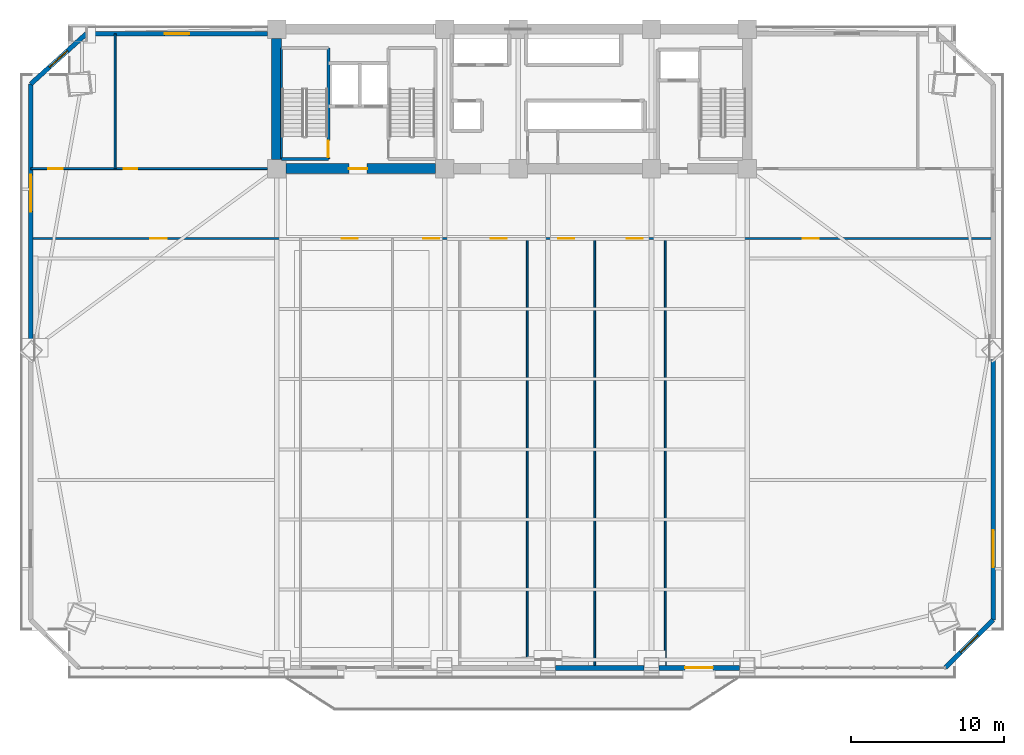
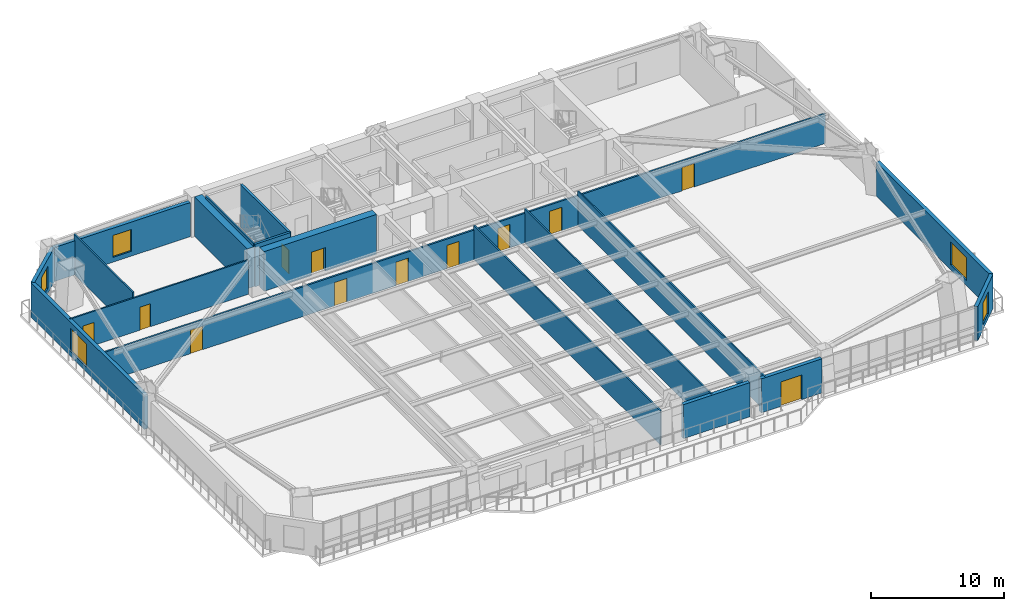
# One storey, part 10 of 18: 18 walls, 12 doors, 5 windows, 17 openings.
"""IFC4 building model written with IfcOpenShell, lengths in metres."""

from ifc_helpers import new_model, si_unit, direction, frame, frame_2d, origin, place, context, subcontext, project, spatial, rectangle, extrude, source, transform, mapped, material, layer, layer_set, type_object, element, fill, save


model = new_model("IFC4")

# Units and contexts
model_context = context("Model", 3, precision=1e-05, world=origin(), true_north=direction((0.0, 1.0)))
body_context = subcontext(model_context, "Body", "Model", "MODEL_VIEW")
ifc_project = project(units=[si_unit("LENGTHUNIT", "METRE"), si_unit("AREAUNIT", "SQUARE_METRE"), si_unit("VOLUMEUNIT", "CUBIC_METRE"), si_unit("PLANEANGLEUNIT", "RADIAN"), si_unit("MASSUNIT", "GRAM", prefix="KILO")], contexts=[model_context])

# Site, building, storey
site_placement = place(None, origin())
site = spatial("IfcSite", under=ifc_project, at=site_placement, CompositionType="ELEMENT")
building_placement = place(site_placement, origin())
building = spatial("IfcBuilding", under=site, at=building_placement, Name="Giltprow Tower", CompositionType="ELEMENT")
storey_placement = place(building_placement, frame((0.0, 0.0, 68.89990234375)))
storey = spatial("IfcBuildingStorey", under=building, at=storey_placement, Name="L17", CompositionType="ELEMENT", Elevation=68.89990234375)

# Wall, opening, window
ifc_material_1 = material(Name="Precast concrete C40", Category="concrete")
ifc_layer_1 = layer(ifc_material_1, 0.300048828125, Name="Precast concrete C40")
ifc_layer_set_1 = layer_set([ifc_layer_1], Name="Precast concrete C40")
wall_type_1 = type_object("IfcWallType", Name="EW-NOTCH-CHAMFER-300", PredefinedType="SOLIDWALL", material=ifc_layer_set_1)
wall_1_placement = place(storey_placement, frame((63.47412109375, 4.882080078125, 0.0), z_axis=(0.0, 0.0, 1.0), x_axis=(0.707106781187, 0.707106781187, 0.0)))
wall_1 = element("IfcWall", 1, at=wall_1_placement, inside=storey, type_object=wall_type_1, Name="L17 Corner Notch Wall SE", PredefinedType="SOLIDWALL", context=body_context, shape_type="SweptSolid", body=[
    extrude(rectangle(XDim=4.4150390625, YDim=0.300048828125, at=frame_2d((2.20751953125, 0.0))), origin(), (0.0, 0.0, 1.0), 3.1201171875),
])
opening_1_placement = place(wall_1_placement, frame((1.407958984375, 0.0, 0.449951171875)))
opening_1 = element("IfcOpeningElement", 2, at=opening_1_placement, cuts=wall_1, Name="Opening WN17", PredefinedType="OPENING", context=body_context, shape_type="SweptSolid", body=[
    extrude(rectangle(XDim=1.60009765625, YDim=2.0, at=frame_2d((0.800048828125, 1.0))), frame((0.0, 0.159912109375, 0.0), z_axis=(0.0, -1.0, 0.0), x_axis=(1.0, 0.0, 0.0)), (0.0, 0.0, 1.0), 0.320068359375),
])
ifc_material_2 = material(Name="Insulated glass", Category="glass")
window_type_1 = type_object("IfcWindowType", Name="WN-COR-1600x2000", PartitioningType="SINGLE_PANEL", PredefinedType="WINDOW", material=ifc_material_2)
shared_shape_1 = source(origin(), body_context, "Body", "SweptSolid", [
    extrude(rectangle(XDim=1.60009765625, YDim=2.0, at=frame_2d((0.800048828125, 1.0))), frame((0.0, 0.030029296875, 0.0), z_axis=(0.0, -1.0, 0.0), x_axis=(1.0, 0.0, 0.0)), (0.0, 0.0, 1.0), 0.06005859375),
])
window_1_placement = place(opening_1_placement, origin())
window_1 = element("IfcWindow", 3, at=window_1_placement, inside=storey, type_object=window_type_1, Name="L17 Corner Notch Window SE", OverallHeight=2.0, OverallWidth=1.60009765625, PartitioningType="SINGLE_PANEL", PredefinedType="WINDOW", context=body_context, shape_type="MappedRepresentation", body=[
    mapped(shared_shape_1, transform((0.0, 0.0, 0.0), x_axis=(1.0, 0.0, 0.0), y_axis=(0.0, 1.0, 0.0), z_axis=(0.0, 0.0, 1.0), scale=1.0)),
])
fill(opening_1, window_1)

wall_2_placement = place(storey_placement, frame((7.427001953125, 46.25, 0.0), z_axis=(0.0, 0.0, 1.0), x_axis=(-0.742059302274, -0.670334238951, 0.0)))
wall_2 = element("IfcWall", 4, at=wall_2_placement, inside=storey, type_object=wall_type_1, Name="L17 Corner Notch Wall NW", PredefinedType="SOLIDWALL", context=body_context, shape_type="SweptSolid", body=[
    extrude(rectangle(XDim=4.881103515625, YDim=0.300048828125, at=frame_2d((2.4404296875, 0.0))), origin(), (0.0, 0.0, 1.0), 3.1201171875),
])
opening_2_placement = place(wall_2_placement, frame((1.64111328125, 0.0, 0.449951171875)))
opening_2 = element("IfcOpeningElement", 5, at=opening_2_placement, cuts=wall_2, Name="Opening WN17", PredefinedType="OPENING", context=body_context, shape_type="SweptSolid", body=[
    extrude(rectangle(XDim=1.60009765625, YDim=2.0, at=frame_2d((0.800048828125, 1.0))), frame((0.0, 0.159912109375, 0.0), z_axis=(0.0, -1.0, 0.0), x_axis=(1.0, 0.0, 0.0)), (0.0, 0.0, 1.0), 0.320068359375),
])
window_2_placement = place(opening_2_placement, origin())
window_2 = element("IfcWindow", 6, at=window_2_placement, inside=storey, type_object=window_type_1, Name="L17 Corner Notch Window NW", OverallHeight=2.0, OverallWidth=1.60009765625, PartitioningType="SINGLE_PANEL", PredefinedType="WINDOW", context=body_context, shape_type="MappedRepresentation", body=[
    mapped(shared_shape_1, transform((0.0, 0.0, 0.0), x_axis=(1.0, 0.0, 0.0), y_axis=(0.0, 1.0, 0.0), z_axis=(0.0, 0.0, 1.0), scale=1.0)),
])
fill(opening_2, window_2)

# Wall
ifc_layer_2 = layer(ifc_material_1, 0.320068359375, Name="Precast concrete C40")
ifc_layer_set_2 = layer_set([ifc_layer_2], Name="Precast concrete C40")
wall_type_2 = type_object("IfcWallType", Name="EW-TOW-STONE-320", PredefinedType="SOLIDWALL", material=ifc_layer_set_2)
wall_3_placement = place(storey_placement, frame((38.050048828125, 4.882080078125, 0.0), z_axis=(0.0, 0.0, 1.0), x_axis=(1.0, 0.0, 0.0)))
element("IfcWall", 7, at=wall_3_placement, inside=storey, type_object=wall_type_2, Name="L17 South Expressed Frame Wall 4", PredefinedType="SOLIDWALL", context=body_context, shape_type="SweptSolid", body=[
    extrude(rectangle(XDim=5.75, YDim=0.320068359375, at=frame_2d((2.875, 0.0))), origin(), (0.0, 0.0, 1.0), 3.1201171875),
])

# Wall, opening, door
wall_4_placement = place(storey_placement, frame((44.800048828125, 4.882080078125, 0.0), z_axis=(0.0, 0.0, 1.0), x_axis=(1.0, 0.0, 0.0)))
wall_4 = element("IfcWall", 8, at=wall_4_placement, inside=storey, type_object=wall_type_2, Name="L17 South Expressed Frame Wall 5", PredefinedType="SOLIDWALL", context=body_context, shape_type="SweptSolid", body=[
    extrude(rectangle(XDim=5.25, YDim=0.320068359375, at=frame_2d((2.625, 0.0))), origin(), (0.0, 0.0, 1.0), 3.1201171875),
])
opening_3_placement = place(wall_4_placement, frame((1.699951171875, 0.0, 0.0)))
opening_3 = element("IfcOpeningElement", 9, at=opening_3_placement, cuts=wall_4, Name="Opening ED25", PredefinedType="OPENING", context=body_context, shape_type="SweptSolid", body=[
    extrude(rectangle(XDim=1.800048828125, YDim=2.25, at=frame_2d((0.89990234375, 1.125))), frame((0.0, 0.169921875, 0.0), z_axis=(0.0, -1.0, 0.0), x_axis=(1.0, 0.0, 0.0)), (0.0, 0.0, 1.0), 0.340087890625),
])
ifc_material_3 = material(Name="Anodized bronze and glass", Category="glass")
door_type_1 = type_object("IfcDoorType", Name="DR-BALC-SLIDE-1800", OperationType="SLIDING_TO_LEFT", PredefinedType="DOOR", material=ifc_material_3)
shared_shape_2 = source(origin(), body_context, "Body", "SweptSolid", [
    extrude(rectangle(XDim=1.800048828125, YDim=2.25, at=frame_2d((0.89990234375, 1.125))), frame((0.0, 0.02490234375, 0.0), z_axis=(0.0, -1.0, 0.0), x_axis=(1.0, 0.0, 0.0)), (0.0, 0.0, 1.0), 0.050048828125),
])
door_1_placement = place(opening_3_placement, origin())
door_1 = element("IfcDoor", 10, at=door_1_placement, inside=storey, type_object=door_type_1, Name="L17 Waterfront Balcony Sliding Door 2", OperationType="SLIDING_TO_LEFT", OverallHeight=2.25, OverallWidth=1.800048828125, PredefinedType="DOOR", context=body_context, shape_type="MappedRepresentation", body=[
    mapped(shared_shape_2, transform((0.0, 0.0, 0.0), x_axis=(1.0, 0.0, 0.0), y_axis=(0.0, 1.0, 0.0), z_axis=(0.0, 0.0, 1.0), scale=1.0)),
])
fill(opening_3, door_1)

# Wall, opening, window
wall_5_placement = place(storey_placement, frame((3.804931640625, 25.990966796875, 0.0), z_axis=(0.0, 0.0, 1.0), x_axis=(0.0, 1.0, 0.0)))
wall_5 = element("IfcWall", 11, at=wall_5_placement, inside=storey, type_object=wall_type_2, Name="L17 W Wing Masonry Wall 2", PredefinedType="SOLIDWALL", context=body_context, shape_type="SweptSolid", body=[
    extrude(rectangle(XDim=16.987060546875, YDim=0.320068359375, at=frame_2d((8.49365234375, 0.0))), origin(), (0.0, 0.0, 1.0), 3.1201171875),
])
opening_4_placement = place(wall_5_placement, frame((8.654052734375, 0.0, 0.449951171875)))
opening_4 = element("IfcOpeningElement", 12, at=opening_4_placement, cuts=wall_5, Name="Opening WN29", PredefinedType="OPENING", context=body_context, shape_type="SweptSolid", body=[
    extrude(rectangle(XDim=2.39990234375, YDim=2.10009765625, at=frame_2d((1.199951171875, 1.050048828125))), frame((0.0, 0.169921875, 0.0), z_axis=(0.0, -1.0, 0.0), x_axis=(1.0, 0.0, 0.0)), (0.0, 0.0, 1.0), 0.340087890625),
])
window_type_2 = type_object("IfcWindowType", Name="WN-OFF-2400x2100", PartitioningType="DOUBLE_PANEL_VERTICAL", PredefinedType="WINDOW", material=ifc_material_2)
shared_shape_3 = source(origin(), body_context, "Body", "SweptSolid", [
    extrude(rectangle(XDim=2.39990234375, YDim=2.10009765625, at=frame_2d((1.199951171875, 1.050048828125))), frame((0.0, 0.030029296875, 0.0), z_axis=(0.0, -1.0, 0.0), x_axis=(1.0, 0.0, 0.0)), (0.0, 0.0, 1.0), 0.06005859375),
])
window_3_placement = place(opening_4_placement, origin())
window_3 = element("IfcWindow", 13, at=window_3_placement, inside=storey, type_object=window_type_2, Name="L17 W Wing Window 2-1", OverallHeight=2.10009765625, OverallWidth=2.39990234375, PartitioningType="SINGLE_PANEL", PredefinedType="WINDOW", context=body_context, shape_type="MappedRepresentation", body=[
    mapped(shared_shape_3, transform((0.0, 0.0, 0.0), x_axis=(1.0, 0.0, 0.0), y_axis=(0.0, 1.0, 0.0), z_axis=(0.0, 0.0, 1.0), scale=1.0)),
])
fill(opening_4, window_3)

wall_6_placement = place(storey_placement, frame((66.595947265625, 8.00390625, 0.0), z_axis=(0.0, 0.0, 1.0), x_axis=(0.0, 1.0, 0.0)))
wall_6 = element("IfcWall", 14, at=wall_6_placement, inside=storey, type_object=wall_type_2, Name="L17 E Wing Masonry Wall 1", PredefinedType="SOLIDWALL", context=body_context, shape_type="SweptSolid", body=[
    extrude(rectangle(XDim=16.987060546875, YDim=0.320068359375, at=frame_2d((8.49365234375, 0.0))), origin(), (0.0, 0.0, 1.0), 3.1201171875),
])
opening_5_placement = place(wall_6_placement, frame((3.45703125, 0.0, 0.449951171875)))
opening_5 = element("IfcOpeningElement", 15, at=opening_5_placement, cuts=wall_6, Name="Opening WN29", PredefinedType="OPENING", context=body_context, shape_type="SweptSolid", body=[
    extrude(rectangle(XDim=2.39990234375, YDim=2.10009765625, at=frame_2d((1.199951171875, 1.050048828125))), frame((0.0, 0.169921875, 0.0), z_axis=(0.0, -1.0, 0.0), x_axis=(1.0, 0.0, 0.0)), (0.0, 0.0, 1.0), 0.340087890625),
])
window_4_placement = place(opening_5_placement, origin())
window_4 = element("IfcWindow", 16, at=window_4_placement, inside=storey, type_object=window_type_2, Name="L17 E Wing Window 1-1A", OverallHeight=2.10009765625, OverallWidth=2.39990234375, PartitioningType="SINGLE_PANEL", PredefinedType="WINDOW", context=body_context, shape_type="MappedRepresentation", body=[
    mapped(shared_shape_3, transform((0.0, 0.0, 0.0), x_axis=(1.0, 0.0, 0.0), y_axis=(0.0, 1.0, 0.0), z_axis=(0.0, 0.0, 1.0), scale=1.0)),
])
fill(opening_5, window_4)

wall_7_placement = place(storey_placement, frame((7.427001953125, 46.25, 0.0), z_axis=(0.0, 0.0, 1.0), x_axis=(1.0, 0.0, 0.0)))
wall_7 = element("IfcWall", 17, at=wall_7_placement, inside=storey, type_object=wall_type_2, Name="L17 North-West Wing Wall", PredefinedType="SOLIDWALL", context=body_context, shape_type="SweptSolid", body=[
    extrude(rectangle(XDim=11.822998046875, YDim=0.320068359375, at=frame_2d((5.91162109375, 0.0))), origin(), (0.0, 0.0, 1.0), 3.1201171875),
])
opening_6_placement = place(wall_7_placement, frame((5.112060546875, 0.0, 0.449951171875)))
opening_6 = element("IfcOpeningElement", 18, at=opening_6_placement, cuts=wall_7, Name="Opening WN17", PredefinedType="OPENING", context=body_context, shape_type="SweptSolid", body=[
    extrude(rectangle(XDim=1.60009765625, YDim=2.0, at=frame_2d((0.800048828125, 1.0))), frame((0.0, 0.169921875, 0.0), z_axis=(0.0, -1.0, 0.0), x_axis=(1.0, 0.0, 0.0)), (0.0, 0.0, 1.0), 0.340087890625),
])
window_5_placement = place(opening_6_placement, origin())
window_5 = element("IfcWindow", 19, at=window_5_placement, inside=storey, type_object=window_type_1, Name="L17 North-West Window", OverallHeight=2.0, OverallWidth=1.60009765625, PartitioningType="SINGLE_PANEL", PredefinedType="WINDOW", context=body_context, shape_type="MappedRepresentation", body=[
    mapped(shared_shape_1, transform((0.0, 0.0, 0.0), x_axis=(1.0, 0.0, 0.0), y_axis=(0.0, 1.0, 0.0), z_axis=(0.0, 0.0, 1.0), scale=1.0)),
])
fill(opening_6, window_5)

# Wall, openings, doors
ifc_material_4 = material(Name="Gypsum stud partition", Category="gypsum")
ifc_layer_3 = layer(ifc_material_4, 0.14990234375, Name="Gypsum stud partition")
ifc_layer_set_3 = layer_set([ifc_layer_3], Name="Gypsum stud partition")
wall_type_3 = type_object("IfcWallType", Name="IW-CORR-150", PredefinedType="PARTITIONING", material=ifc_layer_set_3)
wall_8_placement = place(storey_placement, frame((3.804931640625, 32.89990234375, 0.0), z_axis=(0.0, 0.0, 1.0), x_axis=(1.0, 0.0, 0.0)))
wall_8 = element("IfcWall", 20, at=wall_8_placement, inside=storey, type_object=wall_type_3, Name="L17 Office Loop Corridor Wall", PredefinedType="PARTITIONING", context=body_context, shape_type="SweptSolid", body=[
    extrude(rectangle(XDim=62.791015625, YDim=0.14990234375, at=frame_2d((31.3955078125, 0.0))), origin(), (0.0, 0.0, 1.0), 2.72509765625),
])
opening_7_placement = place(wall_8_placement, frame((7.804931640625, 0.0, 0.0)))
opening_7 = element("IfcOpeningElement", 21, at=opening_7_placement, cuts=wall_8, Name="Opening ID31", PredefinedType="OPENING", context=body_context, shape_type="SweptSolid", body=[
    extrude(rectangle(XDim=1.050048828125, YDim=2.14990234375, at=frame_2d((0.52490234375, 1.074951171875))), frame((0.0, 0.0849609375, 0.0), z_axis=(0.0, -1.0, 0.0), x_axis=(1.0, 0.0, 0.0)), (0.0, 0.0, 1.0), 0.169921875),
])
opening_8_placement = place(wall_8_placement, frame((20.278076171875, 0.0, 0.0)))
opening_8 = element("IfcOpeningElement", 22, at=opening_8_placement, cuts=wall_8, Name="Opening ID31", PredefinedType="OPENING", context=body_context, shape_type="SweptSolid", body=[
    extrude(rectangle(XDim=1.050048828125, YDim=2.14990234375, at=frame_2d((0.52490234375, 1.074951171875))), frame((0.0, 0.0849609375, 0.0), z_axis=(0.0, -1.0, 0.0), x_axis=(1.0, 0.0, 0.0)), (0.0, 0.0, 1.0), 0.169921875),
])
opening_9_placement = place(wall_8_placement, frame((25.60595703125, 0.0, 0.0)))
opening_9 = element("IfcOpeningElement", 23, at=opening_9_placement, cuts=wall_8, Name="Opening ID31", PredefinedType="OPENING", context=body_context, shape_type="SweptSolid", body=[
    extrude(rectangle(XDim=1.050048828125, YDim=2.14990234375, at=frame_2d((0.52490234375, 1.074951171875))), frame((0.0, 0.0849609375, 0.0), z_axis=(0.0, -1.0, 0.0), x_axis=(1.0, 0.0, 0.0)), (0.0, 0.0, 1.0), 0.169921875),
])
opening_10_placement = place(wall_8_placement, frame((30.006103515625, 0.0, 0.0)))
opening_10 = element("IfcOpeningElement", 24, at=opening_10_placement, cuts=wall_8, Name="Opening ID31", PredefinedType="OPENING", context=body_context, shape_type="SweptSolid", body=[
    extrude(rectangle(XDim=1.050048828125, YDim=2.14990234375, at=frame_2d((0.52490234375, 1.074951171875))), frame((0.0, 0.0849609375, 0.0), z_axis=(0.0, -1.0, 0.0), x_axis=(1.0, 0.0, 0.0)), (0.0, 0.0, 1.0), 0.169921875),
])
opening_11_placement = place(wall_8_placement, frame((34.406005859375, 0.0, 0.0)))
opening_11 = element("IfcOpeningElement", 25, at=opening_11_placement, cuts=wall_8, Name="Opening ID31", PredefinedType="OPENING", context=body_context, shape_type="SweptSolid", body=[
    extrude(rectangle(XDim=1.050048828125, YDim=2.14990234375, at=frame_2d((0.52490234375, 1.074951171875))), frame((0.0, 0.0849609375, 0.0), z_axis=(0.0, -1.0, 0.0), x_axis=(1.0, 0.0, 0.0)), (0.0, 0.0, 1.0), 0.169921875),
])
opening_12_placement = place(wall_8_placement, frame((38.889892578125, 0.0, 0.0)))
opening_12 = element("IfcOpeningElement", 26, at=opening_12_placement, cuts=wall_8, Name="Opening ID31", PredefinedType="OPENING", context=body_context, shape_type="SweptSolid", body=[
    extrude(rectangle(XDim=1.050048828125, YDim=2.14990234375, at=frame_2d((0.52490234375, 1.074951171875))), frame((0.0, 0.0849609375, 0.0), z_axis=(0.0, -1.0, 0.0), x_axis=(1.0, 0.0, 0.0)), (0.0, 0.0, 1.0), 0.169921875),
])
opening_13_placement = place(wall_8_placement, frame((50.361083984375, 0.0, 0.0)))
opening_13 = element("IfcOpeningElement", 27, at=opening_13_placement, cuts=wall_8, Name="Opening ID31", PredefinedType="OPENING", context=body_context, shape_type="SweptSolid", body=[
    extrude(rectangle(XDim=1.050048828125, YDim=2.14990234375, at=frame_2d((0.52490234375, 1.074951171875))), frame((0.0, 0.0849609375, 0.0), z_axis=(0.0, -1.0, 0.0), x_axis=(1.0, 0.0, 0.0)), (0.0, 0.0, 1.0), 0.169921875),
])
ifc_material_5 = material(Name="Engineered timber", Category="wood")
door_type_2 = type_object("IfcDoorType", Name="DR-SUITE-1050", OperationType="SINGLE_SWING_LEFT", PredefinedType="DOOR", material=ifc_material_5)
shared_shape_4 = source(origin(), body_context, "Body", "SweptSolid", [
    extrude(rectangle(XDim=1.050048828125, YDim=2.14990234375, at=frame_2d((0.52490234375, 1.074951171875))), frame((0.0, 0.02490234375, 0.0), z_axis=(0.0, -1.0, 0.0), x_axis=(1.0, 0.0, 0.0)), (0.0, 0.0, 1.0), 0.050048828125),
])
door_2_placement = place(opening_7_placement, origin())
door_2 = element("IfcDoor", 28, at=door_2_placement, inside=storey, type_object=door_type_2, Name="L17 Board Meeting Room 1 Door", OperationType="SINGLE_SWING_LEFT", OverallHeight=2.14990234375, OverallWidth=1.050048828125, PredefinedType="DOOR", context=body_context, shape_type="MappedRepresentation", body=[
    mapped(shared_shape_4, transform((0.0, 0.0, 0.0), x_axis=(1.0, 0.0, 0.0), y_axis=(0.0, 1.0, 0.0), z_axis=(0.0, 0.0, 1.0), scale=1.0)),
])
fill(opening_7, door_2)
door_3_placement = place(opening_8_placement, origin())
door_3 = element("IfcDoor", 29, at=door_3_placement, inside=storey, type_object=door_type_2, Name="L17 Committee Meeting Room 2 Door", OperationType="SINGLE_SWING_RIGHT", OverallHeight=2.14990234375, OverallWidth=1.050048828125, PredefinedType="DOOR", context=body_context, shape_type="MappedRepresentation", body=[
    mapped(shared_shape_4, transform((0.0, 0.0, 0.0), x_axis=(1.0, 0.0, 0.0), y_axis=(0.0, 1.0, 0.0), z_axis=(0.0, 0.0, 1.0), scale=1.0)),
])
fill(opening_8, door_3)
door_4_placement = place(opening_9_placement, origin())
door_4 = element("IfcDoor", 30, at=door_4_placement, inside=storey, type_object=door_type_2, Name="L17 Arbitration Meeting Room 3 Door", OperationType="SINGLE_SWING_LEFT", OverallHeight=2.14990234375, OverallWidth=1.050048828125, PredefinedType="DOOR", context=body_context, shape_type="MappedRepresentation", body=[
    mapped(shared_shape_4, transform((0.0, 0.0, 0.0), x_axis=(1.0, 0.0, 0.0), y_axis=(0.0, 1.0, 0.0), z_axis=(0.0, 0.0, 1.0), scale=1.0)),
])
fill(opening_9, door_4)
door_5_placement = place(opening_10_placement, origin())
door_5 = element("IfcDoor", 31, at=door_5_placement, inside=storey, type_object=door_type_2, Name="L17 Tribunal Meeting Room 4 Door", OperationType="SINGLE_SWING_RIGHT", OverallHeight=2.14990234375, OverallWidth=1.050048828125, PredefinedType="DOOR", context=body_context, shape_type="MappedRepresentation", body=[
    mapped(shared_shape_4, transform((0.0, 0.0, 0.0), x_axis=(1.0, 0.0, 0.0), y_axis=(0.0, 1.0, 0.0), z_axis=(0.0, 0.0, 1.0), scale=1.0)),
])
fill(opening_10, door_5)
door_6_placement = place(opening_11_placement, origin())
door_6 = element("IfcDoor", 32, at=door_6_placement, inside=storey, type_object=door_type_2, Name="L17 Townhall Meeting Room 5 Door", OperationType="SINGLE_SWING_LEFT", OverallHeight=2.14990234375, OverallWidth=1.050048828125, PredefinedType="DOOR", context=body_context, shape_type="MappedRepresentation", body=[
    mapped(shared_shape_4, transform((0.0, 0.0, 0.0), x_axis=(1.0, 0.0, 0.0), y_axis=(0.0, 1.0, 0.0), z_axis=(0.0, 0.0, 1.0), scale=1.0)),
])
fill(opening_11, door_6)
door_7_placement = place(opening_12_placement, origin())
door_7 = element("IfcDoor", 33, at=door_7_placement, inside=storey, type_object=door_type_2, Name="L17 Briefing Meeting Room 6 Door", OperationType="SINGLE_SWING_RIGHT", OverallHeight=2.14990234375, OverallWidth=1.050048828125, PredefinedType="DOOR", context=body_context, shape_type="MappedRepresentation", body=[
    mapped(shared_shape_4, transform((0.0, 0.0, 0.0), x_axis=(1.0, 0.0, 0.0), y_axis=(0.0, 1.0, 0.0), z_axis=(0.0, 0.0, 1.0), scale=1.0)),
])
fill(opening_12, door_7)
door_8_placement = place(opening_13_placement, origin())
door_8 = element("IfcDoor", 34, at=door_8_placement, inside=storey, type_object=door_type_2, Name="L17 Executive Office Door", OperationType="SINGLE_SWING_LEFT", OverallHeight=2.14990234375, OverallWidth=1.050048828125, PredefinedType="DOOR", context=body_context, shape_type="MappedRepresentation", body=[
    mapped(shared_shape_4, transform((0.0, 0.0, 0.0), x_axis=(1.0, 0.0, 0.0), y_axis=(0.0, 1.0, 0.0), z_axis=(0.0, 0.0, 1.0), scale=1.0)),
])
fill(opening_13, door_8)

# Walls
ifc_layer_4 = layer(ifc_material_4, 0.1201171875, Name="Gypsum stud partition")
ifc_layer_set_4 = layer_set([ifc_layer_4], Name="Gypsum stud partition")
wall_type_4 = type_object("IfcWallType", Name="IW-ROOM-120", PredefinedType="PARTITIONING", material=ifc_layer_set_4)
for number, where, z_axis, x_axis, name in (
    (35, (36.199951171875, 4.882080078125, 0.0), (0.0, 0.0, 1.0), (0.0, 1.0, 0.0), "L17 Office Partition 4"),
    (36, (40.60009765625, 4.882080078125, 0.0), (0.0, 0.0, 1.0), (0.0, 1.0, 0.0), "L17 Office Partition 5"),
    (37, (45.199951171875, 4.882080078125, 0.0), (0.0, 0.0, 1.0), (0.0, 1.0, 0.0), "L17 Office Partition 6"),
):
    element("IfcWall", number, at=place(storey_placement, frame(where, z_axis=z_axis, x_axis=x_axis)), inside=storey, type_object=wall_type_4, Name=name, PredefinedType="PARTITIONING", context=body_context, shape_type="SweptSolid", body=[
        extrude(rectangle(XDim=28.017822265625, YDim=0.1201171875, at=frame_2d((14.0087890625, 0.0))), origin(), (0.0, 0.0, 1.0), 3.125),
    ])
ifc_material_6 = material(Name="Concrete C45", Category="concrete")
ifc_layer_5 = layer(ifc_material_6, 0.139892578125, Name="Concrete C45")
ifc_layer_set_5 = layer_set([ifc_layer_5], Name="Concrete C45")
wall_type_5 = type_object("IfcWallType", Name="IW-STAIR-140", PredefinedType="SOLIDWALL", material=ifc_layer_set_5)
wall_9_placement = place(storey_placement, frame((20.169921875, 38.070068359375, 0.0), z_axis=(0.0, 0.0, 1.0), x_axis=(0.0, 1.0, 0.0)))
element("IfcWall", 38, at=wall_9_placement, inside=storey, type_object=wall_type_5, Name="L17 Stair ST-1 West Bearing Wall", PredefinedType="SOLIDWALL", context=body_context, shape_type="SweptSolid", body=[
    extrude(rectangle(XDim=7.25, YDim=0.139892578125, at=frame_2d((3.625, 0.0))), origin(), (0.0, 0.0, 1.0), 3.900146484375),
])

# Wall, opening, door
ifc_material_7 = material(Name="Concrete C40", Category="concrete")
ifc_layer_6 = layer(ifc_material_7, 0.199951171875, Name="Concrete C40")
ifc_layer_set_6 = layer_set([ifc_layer_6], Name="Concrete C40")
wall_type_6 = type_object("IfcWallType", Name="IW-STAIR-200", PredefinedType="SOLIDWALL", material=ifc_layer_set_6)
wall_10_placement = place(storey_placement, frame((23.219970703125, 38.070068359375, 0.0), z_axis=(0.0, 0.0, 1.0), x_axis=(0.0, 1.0, 0.0)))
wall_10 = element("IfcWall", 39, at=wall_10_placement, inside=storey, type_object=wall_type_6, Name="L17 Stair ST-1 East Bearing Wall", PredefinedType="SOLIDWALL", context=body_context, shape_type="SweptSolid", body=[
    extrude(rectangle(XDim=7.25, YDim=0.199951171875, at=frame_2d((3.625, 0.0))), origin(), (0.0, 0.0, 1.0), 3.900146484375),
])
opening_14_placement = place(wall_10_placement, frame((0.110107421875, 0.0, 0.0)))
opening_14 = element("IfcOpeningElement", 40, at=opening_14_placement, cuts=wall_10, Name="Opening ID33", PredefinedType="OPENING", context=body_context, shape_type="SweptSolid", body=[
    extrude(rectangle(XDim=1.10009765625, YDim=2.14990234375, at=frame_2d((0.550048828125, 1.074951171875))), frame((0.0, 0.10986328125, 0.0), z_axis=(0.0, -1.0, 0.0), x_axis=(1.0, 0.0, 0.0)), (0.0, 0.0, 1.0), 0.219970703125),
])
ifc_material_8 = material(Name="Steel fire leaf", Category="steel")
door_type_3 = type_object("IfcDoorType", Name="DR-STAIR-1100", OperationType="SINGLE_SWING_LEFT", PredefinedType="DOOR", material=ifc_material_8)
shared_shape_5 = source(origin(), body_context, "Body", "SweptSolid", [
    extrude(rectangle(XDim=1.10009765625, YDim=2.14990234375, at=frame_2d((0.550048828125, 1.074951171875))), frame((0.0, 0.02490234375, 0.0), z_axis=(0.0, -1.0, 0.0), x_axis=(1.0, 0.0, 0.0)), (0.0, 0.0, 1.0), 0.050048828125),
])
door_9_placement = place(opening_14_placement, origin())
door_9 = element("IfcDoor", 41, at=door_9_placement, inside=storey, type_object=door_type_3, Name="L17 Stair ST-1 Fire Door", OperationType="SINGLE_SWING_RIGHT", OverallHeight=2.14990234375, OverallWidth=1.10009765625, PredefinedType="DOOR", context=body_context, shape_type="MappedRepresentation", body=[
    mapped(shared_shape_5, transform((0.0, 0.0, 0.0), x_axis=(1.0, 0.0, 0.0), y_axis=(0.0, 1.0, 0.0), z_axis=(0.0, 0.0, 1.0), scale=1.0)),
])
fill(opening_14, door_9)

# Wall
wall_11_placement = place(storey_placement, frame((20.169921875, 38.070068359375, 0.0), z_axis=(0.0, 0.0, 1.0), x_axis=(1.0, 0.0, 0.0)))
element("IfcWall", 42, at=wall_11_placement, inside=storey, type_object=wall_type_6, Name="L17 Stair ST-1 South Bearing Wall", PredefinedType="SOLIDWALL", context=body_context, shape_type="SweptSolid", body=[
    extrude(rectangle(XDim=3.050048828125, YDim=0.199951171875, at=frame_2d((1.52490234375, 0.0))), origin(), (0.0, 0.0, 1.0), 3.900146484375),
])

# Wall, openings, doors
ifc_material_9 = material(Name="Concrete C30", Category="concrete")
ifc_layer_7 = layer(ifc_material_9, 0.1298828125, Name="Concrete C30")
ifc_layer_set_7 = layer_set([ifc_layer_7], Name="Concrete C30")
wall_type_7 = type_object("IfcWallType", Name="IW-WET-130", PredefinedType="PARTITIONING", material=ifc_layer_set_7)
wall_12_placement = place(storey_placement, frame((3.804931640625, 37.449951171875, 0.0), z_axis=(0.0, 0.0, 1.0), x_axis=(1.0, 0.0, 0.0)))
wall_12 = element("IfcWall", 43, at=wall_12_placement, inside=storey, type_object=wall_type_7, Name="L17 NW Wing South Wall", PredefinedType="PARTITIONING", context=body_context, shape_type="SweptSolid", body=[
    extrude(rectangle(XDim=15.445068359375, YDim=0.1298828125, at=frame_2d((7.72265625, 0.0))), origin(), (0.0, 0.0, 1.0), 3.125),
])
opening_15_placement = place(wall_12_placement, frame((1.135009765625, 0.0, 0.0)))
opening_15 = element("IfcOpeningElement", 44, at=opening_15_placement, cuts=wall_12, Name="Opening ID11", PredefinedType="OPENING", context=body_context, shape_type="SweptSolid", body=[
    extrude(rectangle(XDim=0.949951171875, YDim=2.10009765625, at=frame_2d((0.47509765625, 1.050048828125))), frame((0.0, 0.074951171875, 0.0), z_axis=(0.0, -1.0, 0.0), x_axis=(1.0, 0.0, 0.0)), (0.0, 0.0, 1.0), 0.14990234375),
])
opening_16_placement = place(wall_12_placement, frame((6.053955078125, 0.0, 0.0)))
opening_16 = element("IfcOpeningElement", 45, at=opening_16_placement, cuts=wall_12, Name="Opening ID15", PredefinedType="OPENING", context=body_context, shape_type="SweptSolid", body=[
    extrude(rectangle(XDim=0.89990234375, YDim=2.10009765625, at=frame_2d((0.449951171875, 1.050048828125))), frame((0.0, 0.074951171875, 0.0), z_axis=(0.0, -1.0, 0.0), x_axis=(1.0, 0.0, 0.0)), (0.0, 0.0, 1.0), 0.14990234375),
])
door_type_4 = type_object("IfcDoorType", Name="DR-WC-900", OperationType="SINGLE_SWING_LEFT", PredefinedType="DOOR", material=ifc_material_5)
shared_shape_6 = source(origin(), body_context, "Body", "SweptSolid", [
    extrude(rectangle(XDim=0.89990234375, YDim=2.10009765625, at=frame_2d((0.449951171875, 1.050048828125))), frame((0.0, 0.02490234375, 0.0), z_axis=(0.0, -1.0, 0.0), x_axis=(1.0, 0.0, 0.0)), (0.0, 0.0, 1.0), 0.050048828125),
])
door_10_placement = place(opening_16_placement, origin())
door_10 = element("IfcDoor", 46, at=door_10_placement, inside=storey, type_object=door_type_4, Name="L17 NW Washroom Door", OperationType="SINGLE_SWING_LEFT", OverallHeight=2.10009765625, OverallWidth=0.89990234375, PredefinedType="DOOR", context=body_context, shape_type="MappedRepresentation", body=[
    mapped(shared_shape_6, transform((0.0, 0.0, 0.0), x_axis=(1.0, 0.0, 0.0), y_axis=(0.0, 1.0, 0.0), z_axis=(0.0, 0.0, 1.0), scale=1.0)),
])
fill(opening_16, door_10)
door_type_5 = type_object("IfcDoorType", Name="DR-ROOM-950", OperationType="SINGLE_SWING_RIGHT", PredefinedType="DOOR", material=ifc_material_5)
shared_shape_7 = source(origin(), body_context, "Body", "SweptSolid", [
    extrude(rectangle(XDim=0.949951171875, YDim=2.10009765625, at=frame_2d((0.47509765625, 1.050048828125))), frame((0.0, 0.02490234375, 0.0), z_axis=(0.0, -1.0, 0.0), x_axis=(1.0, 0.0, 0.0)), (0.0, 0.0, 1.0), 0.050048828125),
])
door_11_placement = place(opening_15_placement, origin())
door_11 = element("IfcDoor", 47, at=door_11_placement, inside=storey, type_object=door_type_5, Name="L17 West Tenant Office West Door", OperationType="SINGLE_SWING_RIGHT", OverallHeight=2.10009765625, OverallWidth=0.949951171875, PredefinedType="DOOR", context=body_context, shape_type="MappedRepresentation", body=[
    mapped(shared_shape_7, transform((0.0, 0.0, 0.0), x_axis=(1.0, 0.0, 0.0), y_axis=(0.0, 1.0, 0.0), z_axis=(0.0, 0.0, 1.0), scale=1.0)),
])
fill(opening_15, door_11)

# Wall
wall_13_placement = place(storey_placement, frame((9.30908203125, 37.449951171875, 0.0), z_axis=(0.0, 0.0, 1.0), x_axis=(0.0, 1.0, 0.0)))
element("IfcWall", 48, at=wall_13_placement, inside=storey, type_object=wall_type_7, Name="L17 NW Wing Divider", PredefinedType="PARTITIONING", context=body_context, shape_type="SweptSolid", body=[
    extrude(rectangle(XDim=8.800048828125, YDim=0.1298828125, at=frame_2d((4.39990234375, 0.0))), origin(), (0.0, 0.0, 1.0), 3.64013671875),
])

# Wall, opening, door
ifc_material_10 = material(Name="Concrete C60", Category="concrete")
ifc_layer_8 = layer(ifc_material_10, 0.64990234375, Name="Concrete C60")
ifc_layer_set_8 = layer_set([ifc_layer_8], Name="Concrete C60")
wall_type_8 = type_object("IfcWallType", Name="SW-INT-650-C60", PredefinedType="SHEAR", material=ifc_layer_set_8)
wall_14_placement = place(storey_placement, frame((20.449951171875, 37.449951171875, 0.0), z_axis=(0.0, 0.0, 1.0), x_axis=(1.0, 0.0, 0.0)))
wall_14 = element("IfcWall", 49, at=wall_14_placement, inside=storey, type_object=wall_type_8, Name="L17 South Rear Core Shear Wall West", PredefinedType="SHEAR", context=body_context, shape_type="SweptSolid", body=[
    extrude(rectangle(XDim=9.75, YDim=0.64990234375, at=frame_2d((4.875, 0.0))), origin(), (0.0, 0.0, 1.0), 3.64013671875),
])
opening_17_placement = place(wall_14_placement, frame((4.10009765625, 0.0, 0.0)))
opening_17 = element("IfcOpeningElement", 50, at=opening_17_placement, cuts=wall_14, Name="Opening ID19", PredefinedType="OPENING", context=body_context, shape_type="SweptSolid", body=[
    extrude(rectangle(XDim=1.199951171875, YDim=2.14990234375, at=frame_2d((0.60009765625, 1.074951171875))), frame((0.0, 0.3349609375, 0.0), z_axis=(0.0, -1.0, 0.0), x_axis=(1.0, 0.0, 0.0)), (0.0, 0.0, 1.0), 0.669921875),
])
door_type_6 = type_object("IfcDoorType", Name="DR-FFLOBBY-1200", OperationType="SINGLE_SWING_RIGHT", PredefinedType="DOOR", material=ifc_material_8)
shared_shape_8 = source(origin(), body_context, "Body", "SweptSolid", [
    extrude(rectangle(XDim=1.199951171875, YDim=2.14990234375, at=frame_2d((0.60009765625, 1.074951171875))), frame((0.0, 0.02490234375, 0.0), z_axis=(0.0, -1.0, 0.0), x_axis=(1.0, 0.0, 0.0)), (0.0, 0.0, 1.0), 0.050048828125),
])
door_12_placement = place(opening_17_placement, origin())
door_12 = element("IfcDoor", 51, at=door_12_placement, inside=storey, type_object=door_type_6, Name="L17 West Firefighting Lobby Entry Door", OperationType="SINGLE_SWING_LEFT", OverallHeight=2.14990234375, OverallWidth=1.199951171875, PredefinedType="DOOR", context=body_context, shape_type="MappedRepresentation", body=[
    mapped(shared_shape_8, transform((0.0, 0.0, 0.0), x_axis=(1.0, 0.0, 0.0), y_axis=(0.0, 1.0, 0.0), z_axis=(0.0, 0.0, 1.0), scale=1.0)),
])
fill(opening_17, door_12)

# Wall
wall_15_placement = place(storey_placement, frame((19.85009765625, 38.050048828125, 0.0), z_axis=(0.0, 0.0, 1.0), x_axis=(0.0, 1.0, 0.0)))
element("IfcWall", 52, at=wall_15_placement, inside=storey, type_object=wall_type_8, Name="L17 W Rear Core Shear Wall", PredefinedType="SHEAR", context=body_context, shape_type="SweptSolid", body=[
    extrude(rectangle(XDim=7.89990234375, YDim=0.64990234375, at=frame_2d((3.949951171875, 0.0))), origin(), (0.0, 0.0, 1.0), 3.64013671875),
])

save(model, "model.ifc")
